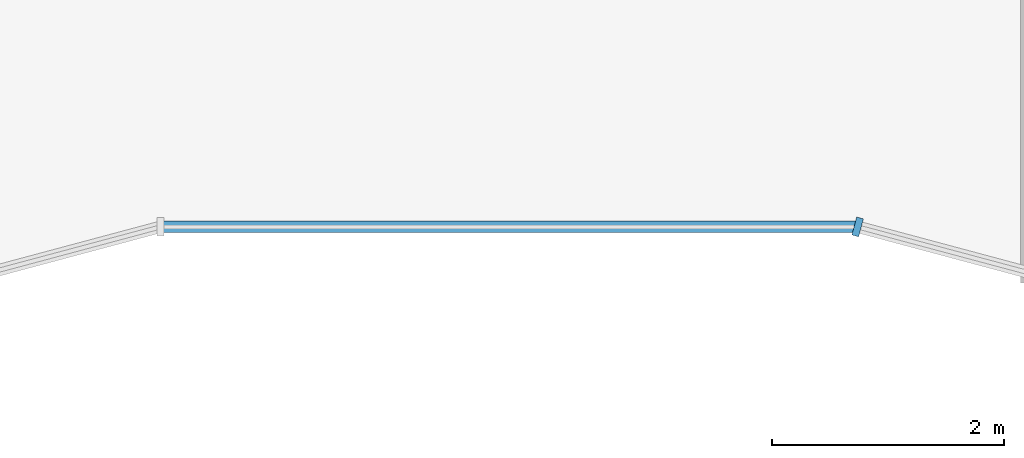
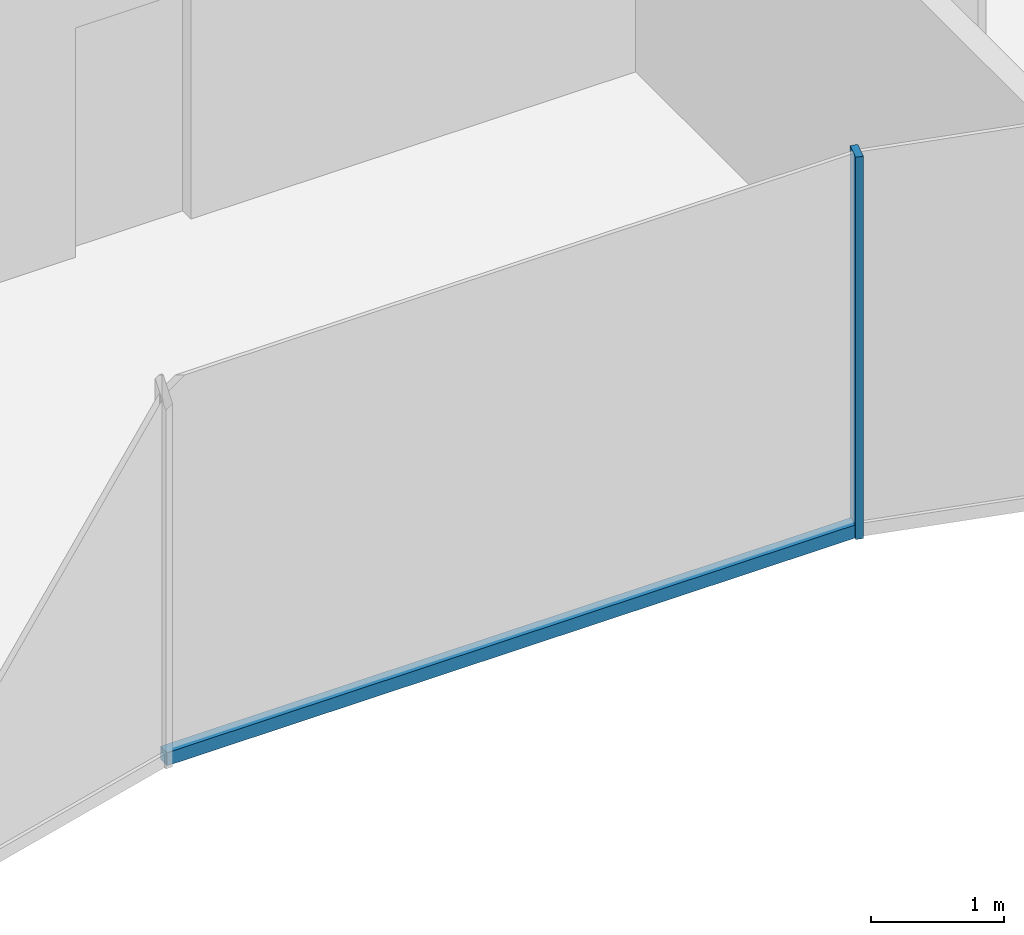
# One storey, part 3 of 15: 2 members, 2 elements without a shape of their own.
"""IFC4 building model written with IfcOpenShell, lengths in metres."""

from ifc_helpers import new_model, si_unit, direction, frame, origin, origin_2d, place, context, subcontext, project, spatial, rectangle, extrude, material, layer, layer_set, material_profile, profile_set, type_object, element, aggregate, save


model = new_model("IFC4")

# Units and contexts
model_context = context("Model", 3, precision=1e-05, world=origin(), true_north=direction((0.0, 1.0)))
body_context = subcontext(model_context, "Body", "Model", "MODEL_VIEW")
ifc_project = project(units=[si_unit("LENGTHUNIT", "METRE"), si_unit("AREAUNIT", "SQUARE_METRE"), si_unit("VOLUMEUNIT", "CUBIC_METRE"), si_unit("PLANEANGLEUNIT", "RADIAN"), si_unit("MASSUNIT", "GRAM", prefix="KILO")], contexts=[model_context])

# Site, building, storey
site_placement = place(None, origin())
site = spatial("IfcSite", under=ifc_project, at=site_placement, CompositionType="ELEMENT")
building_placement = place(site_placement, origin())
building = spatial("IfcBuilding", under=site, at=building_placement, Name="Plateau Cross Towers", CompositionType="ELEMENT")
storey_placement = place(building_placement, frame((0.0, 0.0, 174.39990234375)))
storey = spatial("IfcBuildingStorey", under=building, at=storey_placement, Name="L45", CompositionType="ELEMENT", Elevation=174.39990234375)

# Curtain wall, member
ifc_material_1 = material(Name="Dark low-iron glass", Category="glass")
ifc_layer = layer(ifc_material_1, 0.260009765625)
ifc_layer_set = layer_set([ifc_layer], Name="Dark low-iron glass")
curtain_wall_type = type_object("IfcCurtainWallType", Name="Curtain wall fluted unitised CW-A", PredefinedType="NOTDEFINED", material=ifc_layer_set)
curtain_wall_1_placement = place(storey_placement, origin())
curtain_wall_1 = element("IfcCurtainWall", 1, at=curtain_wall_1_placement, inside=storey, type_object=curtain_wall_type, Name="ENV/A/L45/A300_16", PredefinedType="NOTDEFINED")
ifc_material_2 = material(Name="Black anodised aluminium", Category="aluminium")
ifc_material_profile_1 = material_profile(ifc_material_2, rectangle(XDim=0.06005859375, YDim=0.159912109375, at=origin_2d()), Name="MULLION 60x160")
ifc_profile_set_1 = profile_set([ifc_material_profile_1], Name="Black anodised aluminium")
member_type_1 = type_object("IfcMemberType", Name="Mullion 60x160 fluted unitised", PredefinedType="MULLION", material=ifc_profile_set_1)
member_1_placement = place(storey_placement, frame((30.0, 1.60693359375, -0.25), z_axis=(0.0, 0.0, 1.0), x_axis=(0.965957983404, -0.258699003279, 0.0)))
member_1 = element("IfcMember", 2, at=member_1_placement, type_object=member_type_1, Name="CW-A mullion 1", PredefinedType="MULLION", context=body_context, shape_type="SweptSolid", body=[
    extrude(rectangle(XDim=0.06005859375, YDim=0.159912109375, at=origin_2d()), origin(), (0.0, 0.0, 1.0), 3.5),
])
aggregate(curtain_wall_1, [member_1])

curtain_wall_2_placement = place(storey_placement, origin())
curtain_wall_2 = element("IfcCurtainWall", 3, at=curtain_wall_2_placement, inside=storey, type_object=curtain_wall_type, Name="ENV/A/L45/A240_16", PredefinedType="NOTDEFINED")
ifc_material_profile_2 = material_profile(ifc_material_2, rectangle(XDim=0.10009765625, YDim=0.1201171875, at=origin_2d()), Name="TRANSOM 100x120")
ifc_profile_set_2 = profile_set([ifc_material_profile_2], Name="Black anodised aluminium")
member_type_2 = type_object("IfcMemberType", Name="Transom 100x120 fluted unitised", PredefinedType="USERDEFINED", material=ifc_profile_set_2)
member_2_placement = place(storey_placement, frame((24.0, 1.60693359375, -0.18994140625), z_axis=(1.0, 0.0, 0.0), x_axis=(0.0, 1.0, 0.0)))
member_2 = element("IfcMember", 4, at=member_2_placement, type_object=member_type_2, Name="CW-A transom", ObjectType="TRANSOM", PredefinedType="USERDEFINED", context=body_context, shape_type="SweptSolid", body=[
    extrude(rectangle(XDim=0.10009765625, YDim=0.1201171875, at=origin_2d()), origin(), (0.0, 0.0, 1.0), 6.0),
])
aggregate(curtain_wall_2, [member_2])

save(model, "model.ifc")
